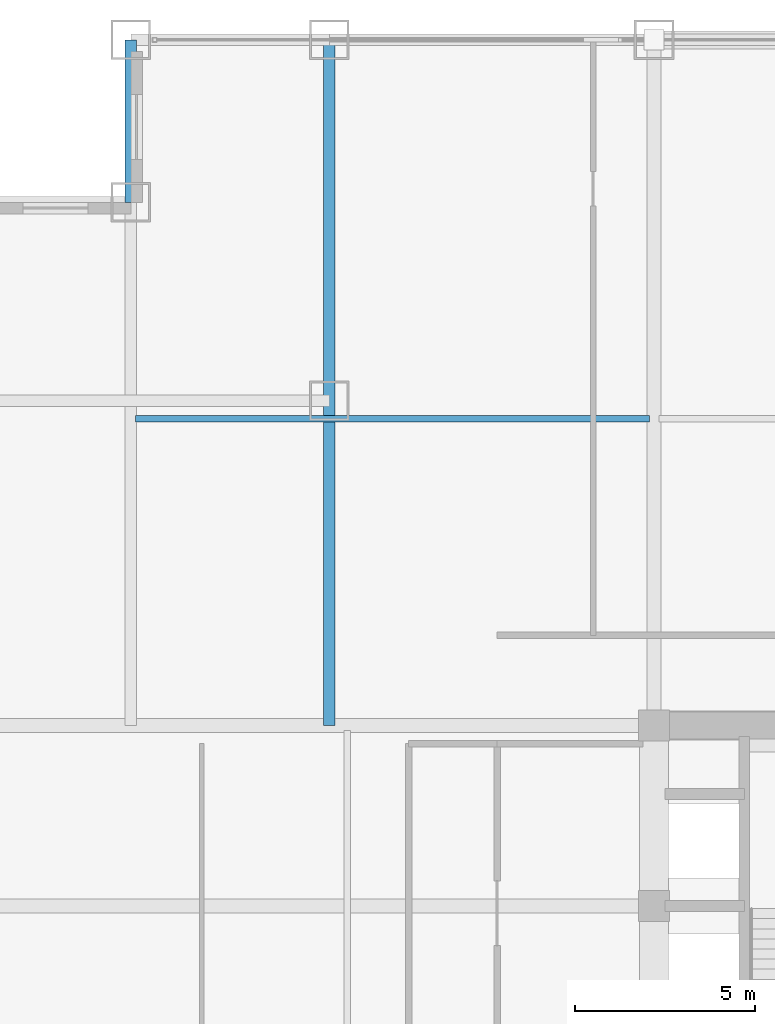
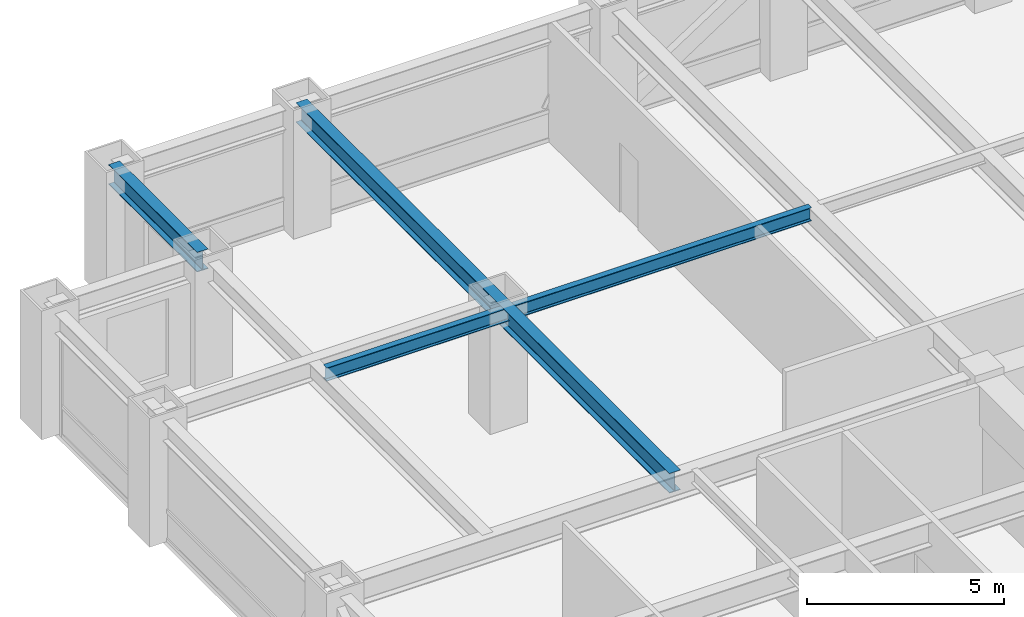
# One storey, part 13 of 24: 3 beams.
"""IFC4 building model written with IfcOpenShell, lengths in metres."""

from ifc_helpers import new_model, si_unit, direction, frame, origin, origin_2d, place, context, subcontext, project, spatial, i_section, extrude, source, transform, mapped, material, material_profile, profile_set, type_object, element, save


model = new_model("IFC4")

# Units and contexts
model_context = context("Model", 3, precision=1e-05, world=origin(), true_north=direction((0.0, 1.0)))
body_context = subcontext(model_context, "Body", "Model", "MODEL_VIEW")
ifc_project = project(units=[si_unit("LENGTHUNIT", "METRE"), si_unit("AREAUNIT", "SQUARE_METRE"), si_unit("VOLUMEUNIT", "CUBIC_METRE"), si_unit("PLANEANGLEUNIT", "RADIAN"), si_unit("MASSUNIT", "GRAM", prefix="KILO")], contexts=[model_context])

# Site, building, storey
site_placement = place(None, origin())
site = spatial("IfcSite", under=ifc_project, at=site_placement, CompositionType="ELEMENT")
building_placement = place(site_placement, origin())
building = spatial("IfcBuilding", under=site, at=building_placement, Name="Khorayat Bourse Tower", CompositionType="ELEMENT")
storey_placement = place(building_placement, frame((0.0, 0.0, 171.10009765625)))
storey = spatial("IfcBuildingStorey", under=building, at=storey_placement, Name="L39", CompositionType="ELEMENT", Elevation=171.10009765625)

# Beams
ifc_material = material(Name="Steel ASTM A992 Grade 50", Category="steel")
ifc_material_profile_1 = material_profile(ifc_material, i_section(OverallWidth=0.324951171875, OverallDepth=0.615966796875, WebThickness=0.013916015625, FlangeThickness=0.021484375, FilletRadius=0.01611328125, at=origin_2d()), Name="W610X174")
ifc_profile_set_1 = profile_set([ifc_material_profile_1], Name="Steel ASTM A992 Grade 50")
beam_type_1 = type_object("IfcBeamType", Name="BM-GIRD-610", PredefinedType="BEAM", material=ifc_profile_set_1)
shared_shape_1 = source(origin(), body_context, "Body", "SweptSolid", [
    extrude(i_section(OverallWidth=0.324951171875, OverallDepth=0.615966796875, WebThickness=0.013916015625, FlangeThickness=0.021484375, FilletRadius=0.01611328125, at=origin_2d()), origin(), (0.0, 0.0, 1.0), 19.0),
])
beam_1_placement = place(storey_placement, frame((-20.0, 11.0, 3.471923828125), z_axis=(0.0, 1.0, 0.0), x_axis=(-1.0, 0.0, 0.0)))
element("IfcBeam", 1, at=beam_1_placement, inside=storey, type_object=beam_type_1, Name="L39 BM-GIRD-610 BM-L39-CNRY-085", PredefinedType="BEAM", context=body_context, shape_type="MappedRepresentation", body=[
    mapped(shared_shape_1, transform((0.0, 0.0, 0.0), scale=1.0)),
])
ifc_material_profile_2 = material_profile(ifc_material, i_section(OverallWidth=0.180908203125, OverallDepth=0.4169921875, WebThickness=0.010986328125, FlangeThickness=0.018310546875, FilletRadius=0.011962890625, at=origin_2d()), Name="W410X85")
ifc_profile_set_2 = profile_set([ifc_material_profile_2], Name="Steel ASTM A992 Grade 50")
beam_type_2 = type_object("IfcBeamType", Name="BM-JOIST-410", PredefinedType="JOIST", material=ifc_profile_set_2)
shared_shape_2 = source(origin(), body_context, "Body", "SweptSolid", [
    extrude(i_section(OverallWidth=0.180908203125, OverallDepth=0.4169921875, WebThickness=0.010986328125, FlangeThickness=0.018310546875, FilletRadius=0.011962890625, at=origin_2d()), origin(), (0.0, 0.0, 1.0), 14.240234375),
])
beam_2_placement = place(storey_placement, frame((-25.3701171875, 19.5, 3.5712890625), z_axis=(1.0, 0.0, 0.0), x_axis=(0.0, 1.0, 0.0)))
element("IfcBeam", 2, at=beam_2_placement, inside=storey, type_object=beam_type_2, Name="L39 BM-JOIST-410 BM-L39-JSTX-099", PredefinedType="JOIST", context=body_context, shape_type="MappedRepresentation", body=[
    mapped(shared_shape_2, transform((0.0, 0.0, 0.0), scale=1.0)),
])
ifc_material_profile_3 = material_profile(ifc_material, i_section(OverallWidth=0.324951171875, OverallDepth=0.615966796875, WebThickness=0.013916015625, FlangeThickness=0.021484375, FilletRadius=0.01611328125, at=origin_2d()), Name="W610X174")
ifc_profile_set_3 = profile_set([ifc_material_profile_3], Name="Steel ASTM A992 Grade 50")
beam_type_3 = type_object("IfcBeamType", Name="BM-SPAN-610", PredefinedType="SPANDREL", material=ifc_profile_set_3)
shared_shape_3 = source(origin(), body_context, "Body", "SweptSolid", [
    extrude(i_section(OverallWidth=0.324951171875, OverallDepth=0.615966796875, WebThickness=0.013916015625, FlangeThickness=0.021484375, FilletRadius=0.01611328125, at=origin_2d()), origin(), (0.0, 0.0, 1.0), 4.5),
])
beam_3_placement = place(storey_placement, frame((-25.5, 25.5, 3.471923828125), z_axis=(0.0, 1.0, 0.0), x_axis=(-1.0, 0.0, 0.0)))
element("IfcBeam", 3, at=beam_3_placement, inside=storey, type_object=beam_type_3, Name="L39 BM-SPAN-610 BM-L39-SPN-052", PredefinedType="SPANDREL", context=body_context, shape_type="MappedRepresentation", body=[
    mapped(shared_shape_3, transform((0.0, 0.0, 0.0), scale=1.0)),
])

save(model, "model.ifc")
